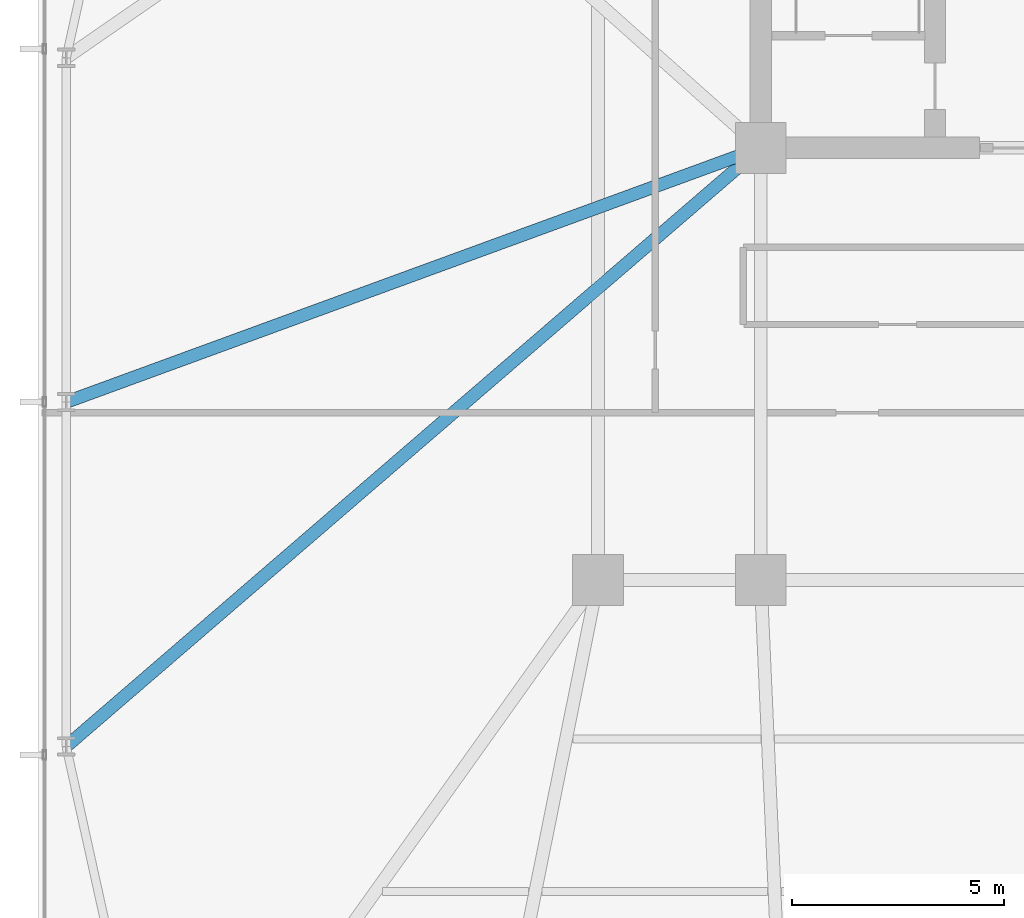
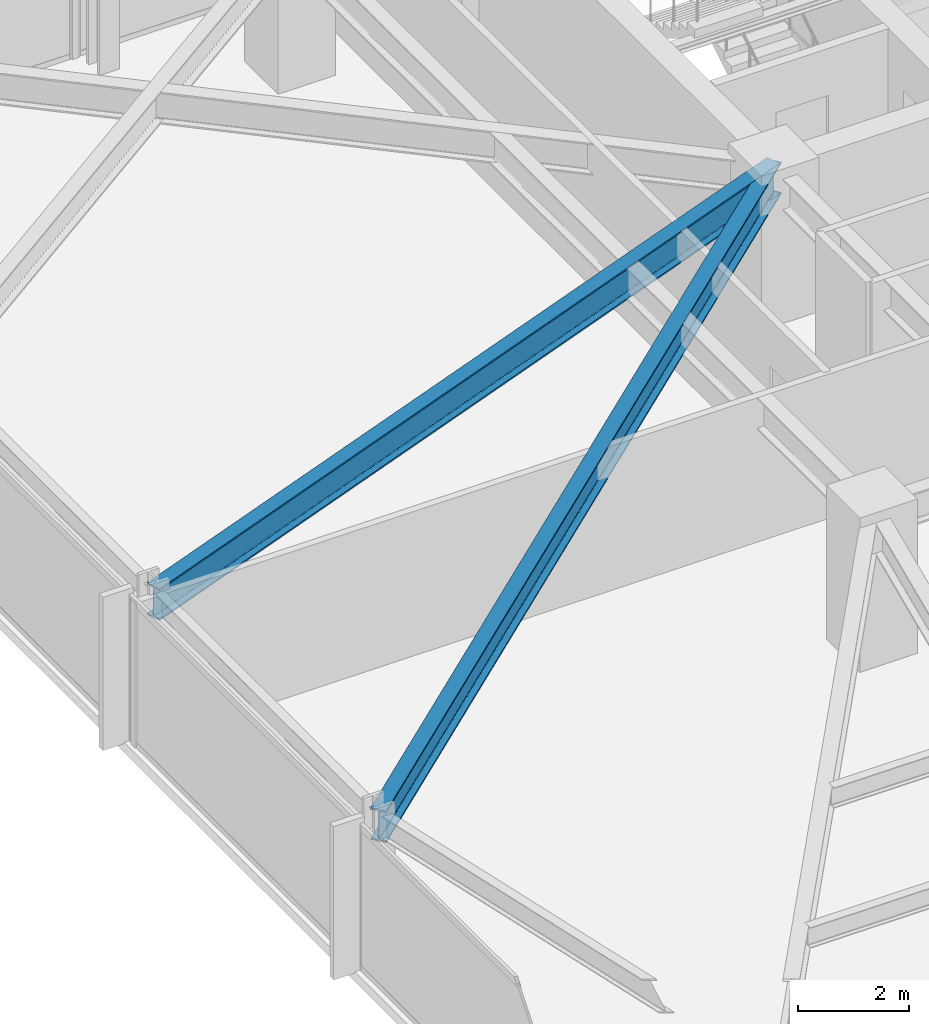
# One storey, part 8 of 33: 2 beams.
"""IFC4 building model written with IfcOpenShell, lengths in metres."""

from ifc_helpers import new_model, si_unit, direction, frame, origin, origin_2d, place, context, subcontext, project, spatial, i_section, extrude, material, material_profile, profile_set, type_object, element, save


model = new_model("IFC4")

# Units and contexts
model_context = context("Model", 3, precision=1e-05, world=origin(), true_north=direction((0.0, 1.0)))
body_context = subcontext(model_context, "Body", "Model", "MODEL_VIEW")
ifc_project = project(units=[si_unit("LENGTHUNIT", "METRE"), si_unit("AREAUNIT", "SQUARE_METRE"), si_unit("VOLUMEUNIT", "CUBIC_METRE"), si_unit("PLANEANGLEUNIT", "RADIAN"), si_unit("MASSUNIT", "GRAM", prefix="KILO")], contexts=[model_context])

# Site, building, storey
site_placement = place(None, origin())
site = spatial("IfcSite", under=ifc_project, at=site_placement, CompositionType="ELEMENT")
building_placement = place(site_placement, origin())
building = spatial("IfcBuilding", under=site, at=building_placement, Name="Yelkora Congress Tower", CompositionType="ELEMENT")
storey_placement = place(building_placement, frame((0.0, 0.0, 64.39990234375)))
storey = spatial("IfcBuildingStorey", under=building, at=storey_placement, Name="L16", CompositionType="ELEMENT", Elevation=64.39990234375)

# Beams
ifc_material = material(Name="Steel S355J2", Category="steel")
ifc_material_profile = material_profile(ifc_material, i_section(OverallWidth=0.300048828125, OverallDepth=0.699951171875, WebThickness=0.01708984375, FlangeThickness=0.031982421875, FilletRadius=0.027099609375, at=origin_2d()), Name="HEB 700")
ifc_profile_set = profile_set([ifc_material_profile], Name="Steel S355J2")
beam_type = type_object("IfcBeamType", Name="BM-GIRD-HEB700", PredefinedType="BEAM", material=ifc_profile_set)
beam_1_placement = place(storey_placement, frame((6.64990234375, 21.27490234375, 2.830078125), z_axis=(0.757511165967, 0.652822206604, 0.0), x_axis=(-0.652822206604, 0.757511165967, 0.0)))
element("IfcBeam", 1, at=beam_1_placement, inside=storey, type_object=beam_type, Name="L16 Primary Frame Girder W01", PredefinedType="BEAM", context=body_context, shape_type="SweptSolid", body=[
    extrude(i_section(OverallWidth=0.300048828125, OverallDepth=0.699951171875, WebThickness=0.01708984375, FlangeThickness=0.031982421875, FilletRadius=0.027099609375, at=origin_2d()), origin(), (0.0, 0.0, 1.0), 21.63671875),
])
beam_2_placement = place(storey_placement, frame((6.64990234375, 29.39990234375, 2.830078125), z_axis=(0.939056124561, 0.343763865064, 0.0), x_axis=(-0.343763865064, 0.939056124561, 0.0)))
element("IfcBeam", 2, at=beam_2_placement, inside=storey, type_object=beam_type, Name="L16 Primary Frame Girder W02", PredefinedType="BEAM", context=body_context, shape_type="SweptSolid", body=[
    extrude(i_section(OverallWidth=0.300048828125, OverallDepth=0.699951171875, WebThickness=0.01708984375, FlangeThickness=0.031982421875, FilletRadius=0.027099609375, at=origin_2d()), origin(), (0.0, 0.0, 1.0), 17.453857421875),
])

save(model, "model.ifc")
